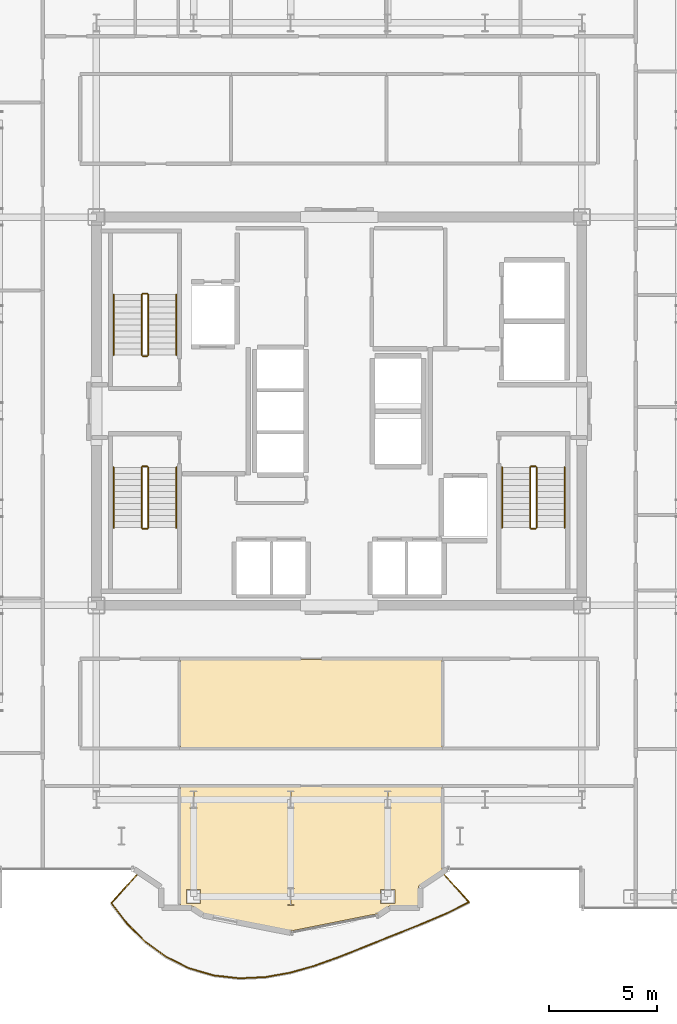
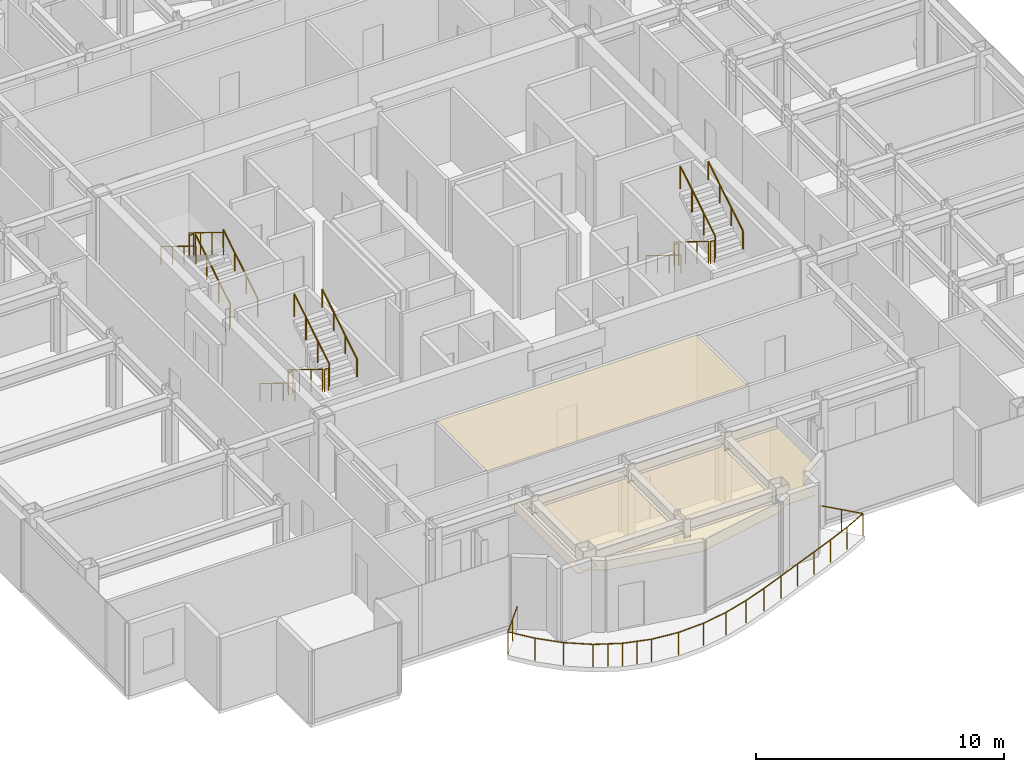
# One storey, part 21 of 22: 19 railings, 2 coverings.
"""IFC4 building model written with IfcOpenShell, lengths in metres."""

from ifc_helpers import new_model, si_unit, direction, frame, origin, origin_2d, place, context, subcontext, project, spatial, polyline, circle, outline, extrude, material, layer, layer_set, type_object, element, save


model = new_model("IFC4")

# Units and contexts
model_context = context("Model", 3, precision=1e-05, world=origin(), true_north=direction((0.0, 1.0)))
body_context = subcontext(model_context, "Body", "Model", "MODEL_VIEW")
ifc_project = project(units=[si_unit("LENGTHUNIT", "METRE"), si_unit("AREAUNIT", "SQUARE_METRE"), si_unit("VOLUMEUNIT", "CUBIC_METRE"), si_unit("PLANEANGLEUNIT", "RADIAN"), si_unit("MASSUNIT", "GRAM", prefix="KILO")], contexts=[model_context])

# Site, building, storey
site_placement = place(None, origin())
site = spatial("IfcSite", under=ifc_project, at=site_placement, CompositionType="ELEMENT")
building_placement = place(site_placement, origin())
building = spatial("IfcBuilding", under=site, at=building_placement, Name="Nefas-Gora Pilgrimage Tower", CompositionType="ELEMENT")
storey_placement = place(building_placement, frame((0.0, 0.0, 240.800048828125)))
storey = spatial("IfcBuildingStorey", under=building, at=storey_placement, Name="L60", CompositionType="ELEMENT", Elevation=240.800048828125)

# Coverings
ifc_material_1 = material(Name="Perforated gypsum acoustic ceiling")
ifc_layer = layer(ifc_material_1, 0.02490234375)
ifc_layer_set = layer_set([ifc_layer], Name="Perforated gypsum acoustic ceiling")
covering_type = type_object("IfcCoveringType", Name="COV-CEIL-ACOUST", PredefinedType="CEILING", material=ifc_layer_set)
covering_1_placement = place(storey_placement, frame((0.0, 0.0, 2.905029296875)))
element("IfcCovering", 1, at=covering_1_placement, inside=storey, type_object=covering_type, Name="L60 Acoustic Suspended Ceiling (Pilgrim Contemplative Lounge)", PredefinedType="CEILING", context=body_context, shape_type="SweptSolid", body=[
    extrude(outline(polyline([(3.68359375, -22.022705078125), (3.688232421875, -22.0166015625), (3.693359375, -22.0107421875), (3.69921875, -22.00537109375), (3.70556640625, -22.000732421875), (4.764892578125, -21.292724609375), (4.764892578125, -17.39990234375), (-7.364990234375, -17.39990234375), (-7.364990234375, -22.93994140625), (-6.82421875, -22.93994140625), (-6.81640625, -22.9404296875), (-6.80859375, -22.94140625), (-6.80078125, -22.943359375), (-6.79345703125, -22.946044921875), (-6.786376953125, -22.949462890625), (-6.77978515625, -22.95361328125), (-6.276123046875, -23.289794921875), (-2.25, -24.0908203125), (1.776123046875, -23.289794921875), (2.27978515625, -22.95361328125), (2.286376953125, -22.949462890625), (2.29345703125, -22.946044921875), (2.30078125, -22.943359375), (2.30859375, -22.94140625), (2.31640625, -22.9404296875), (2.32421875, -22.93994140625), (3.669921875, -22.93994140625), (3.669921875, -22.0673828125), (3.67041015625, -22.059326171875), (3.67138671875, -22.0517578125), (3.67333984375, -22.0439453125), (3.676025390625, -22.03662109375), (3.679443359375, -22.029541015625), (3.68359375, -22.022705078125)]), holes=[polyline([(2.576904296875, -22.173095703125), (2.576904296875, -22.826904296875), (1.923095703125, -22.826904296875), (1.923095703125, -22.173095703125), (2.576904296875, -22.173095703125)]), polyline([(2.403564453125, -17.591064453125), (2.403564453125, -17.635009765625), (2.262451171875, -17.635009765625), (2.262451171875, -18.364990234375), (2.403564453125, -18.364990234375), (2.403564453125, -18.408935546875), (2.096435546875, -18.408935546875), (2.096435546875, -18.364990234375), (2.237548828125, -18.364990234375), (2.237548828125, -17.635009765625), (2.096435546875, -17.635009765625), (2.096435546875, -17.591064453125), (2.403564453125, -17.591064453125)]), polyline([(-2.096435546875, -22.091064453125), (-2.096435546875, -22.135009765625), (-2.237548828125, -22.135009765625), (-2.237548828125, -22.864990234375), (-2.096435546875, -22.864990234375), (-2.096435546875, -22.908935546875), (-2.403564453125, -22.908935546875), (-2.403564453125, -22.864990234375), (-2.262451171875, -22.864990234375), (-2.262451171875, -22.135009765625), (-2.403564453125, -22.135009765625), (-2.403564453125, -22.091064453125), (-2.096435546875, -22.091064453125)]), polyline([(-2.096435546875, -17.591064453125), (-2.096435546875, -17.635009765625), (-2.237548828125, -17.635009765625), (-2.237548828125, -18.364990234375), (-2.096435546875, -18.364990234375), (-2.096435546875, -18.408935546875), (-2.403564453125, -18.408935546875), (-2.403564453125, -18.364990234375), (-2.262451171875, -18.364990234375), (-2.262451171875, -17.635009765625), (-2.403564453125, -17.635009765625), (-2.403564453125, -17.591064453125), (-2.096435546875, -17.591064453125)]), polyline([(-6.423095703125, -22.173095703125), (-6.423095703125, -22.826904296875), (-7.076904296875, -22.826904296875), (-7.076904296875, -22.173095703125), (-6.423095703125, -22.173095703125)]), polyline([(-6.596435546875, -17.591064453125), (-6.596435546875, -17.635009765625), (-6.737548828125, -17.635009765625), (-6.737548828125, -18.364990234375), (-6.596435546875, -18.364990234375), (-6.596435546875, -18.408935546875), (-6.903564453125, -18.408935546875), (-6.903564453125, -18.364990234375), (-6.762451171875, -18.364990234375), (-6.762451171875, -17.635009765625), (-6.903564453125, -17.635009765625), (-6.903564453125, -17.591064453125), (-6.596435546875, -17.591064453125)])]), origin(), (0.0, 0.0, 1.0), 0.02490234375),
])
covering_2_placement = place(storey_placement, frame((0.0, 0.0, 3.5048828125)))
element("IfcCovering", 2, at=covering_2_placement, inside=storey, type_object=covering_type, Name="L60 Acoustic Suspended Ceiling (Pilgrim Contemplative Lounge)", PredefinedType="CEILING", context=body_context, shape_type="SweptSolid", body=[
    extrude(outline(polyline([(4.764892578125, -11.5), (-7.364990234375, -11.5), (-7.364990234375, -15.60009765625), (4.764892578125, -15.60009765625), (4.764892578125, -11.5)])), origin(), (0.0, 0.0, 1.0), 0.025146484375),
])

# Railings
ifc_material_2 = material(Name="Laminated safety glass and stainless steel", Category="steel")
railing_type_1 = type_object("IfcRailingType", Name="RLG-BAL-1100", PredefinedType="BALUSTRADE", material=ifc_material_2)
railing_1_placement = place(storey_placement, frame((-9.302490234375, -21.402587890625, 0.0)))
element("IfcRailing", 3, at=railing_1_placement, inside=storey, type_object=railing_type_1, Name="L60 Wave Balcony Balustrade S2", PredefinedType="BALUSTRADE", context=body_context, shape_type="SweptSolid", body=[
    extrude(circle(Radius=0.02392578125, at=origin_2d()), frame((0.0, 0.0, 1.09619140625), z_axis=(-0.669129721026, -0.743145622634, 0.0), x_axis=(0.743145622634, -0.669129721026, 0.0)), (0.0, 0.0, 1.0), 1.880126953125),
    extrude(circle(Radius=0.02392578125, at=origin_2d()), frame((-1.258056640625, -1.397216796875, 1.09619140625), z_axis=(0.611200063939, -0.791476141044, 0.0), x_axis=(0.791476141044, 0.611200063939, 0.0)), (0.0, 0.0, 1.0), 1.179443359375),
    extrude(circle(Radius=0.02392578125, at=origin_2d()), frame((-0.537109375, -2.330810546875, 1.09619140625), z_axis=(0.707209030738, -0.707004516848, 0.0), x_axis=(0.707004516848, 0.707209030738, 0.0)), (0.0, 0.0, 1.0), 1.19384765625),
    extrude(circle(Radius=0.02392578125, at=origin_2d()), frame((0.30712890625, -3.1748046875, 1.09619140625), z_axis=(0.807148617314, -0.590348295135, 0.0), x_axis=(0.590348295135, 0.807148617314, 0.0)), (0.0, 0.0, 1.0), 1.19921875),
    extrude(circle(Radius=0.02392578125, at=origin_2d()), frame((1.275146484375, -3.8828125, 1.09619140625), z_axis=(0.896048232133, -0.443956716011, 0.0), x_axis=(0.443956716011, 0.896048232133, 0.0)), (0.0, 0.0, 1.0), 1.200439453125),
    extrude(circle(Radius=0.02392578125, at=origin_2d()), frame((2.350830078125, -4.415771484375, 1.09619140625), z_axis=(0.960465578019, -0.278398766951, 0.0), x_axis=(0.278398766951, 0.960465578019, 0.0)), (0.0, 0.0, 1.0), 1.200439453125),
    extrude(circle(Radius=0.02392578125, at=origin_2d()), frame((3.50390625, -4.75, 1.09619140625), z_axis=(0.994009663553, -0.109292217307, 0.0), x_axis=(0.109292217307, 0.994009663553, 0.0)), (0.0, 0.0, 1.0), 1.199462890625),
    extrude(circle(Radius=0.02392578125, at=origin_2d()), frame((4.6962890625, -4.881103515625, 1.09619140625), z_axis=(0.998903921138, 0.046807652535, 0.0), x_axis=(-0.046807652535, 0.998903921138, 0.0)), (0.0, 0.0, 1.0), 1.1943359375),
    extrude(circle(Radius=0.02392578125, at=origin_2d()), frame((5.889404296875, -4.8251953125, 1.09619140625), z_axis=(0.984273970402, 0.176648665973, 0.0), x_axis=(-0.176648665973, 0.984273970402, 0.0)), (0.0, 0.0, 1.0), 1.181640625),
    extrude(circle(Radius=0.02392578125, at=origin_2d()), frame((7.052490234375, -4.616455078125, 1.09619140625), z_axis=(0.961722400744, 0.274025589875, 0.0), x_axis=(-0.274025589875, 0.961722400744, 0.0)), (0.0, 0.0, 1.0), 1.1591796875),
    extrude(circle(Radius=0.02392578125, at=origin_2d()), frame((8.167236328125, -4.298828125, 1.09619140625), z_axis=(0.941629347278, 0.336651410726, 0.0), x_axis=(-0.336651410726, 0.941629347278, 0.0)), (0.0, 0.0, 1.0), 1.129150390625),
    extrude(circle(Radius=0.02392578125, at=origin_2d()), frame((9.23046875, -3.918701171875, 1.09619140625), z_axis=(0.929909498538, 0.367788423592, 0.0), x_axis=(-0.367788423592, 0.929909498538, 0.0)), (0.0, 0.0, 1.0), 1.099365234375),
    extrude(circle(Radius=0.02392578125, at=origin_2d()), frame((10.252685546875, -3.514404296875, 1.09619140625), z_axis=(0.927160236692, 0.374665044403, 0.0), x_axis=(-0.374665044403, 0.927160236692, 0.0)), (0.0, 0.0, 1.0), 1.0791015625),
    extrude(circle(Radius=0.02392578125, at=origin_2d()), frame((11.253173828125, -3.110107421875, 1.09619140625), z_axis=(0.928883068163, 0.370373116844, 0.0), x_axis=(-0.370373116844, 0.928883068163, 0.0)), (0.0, 0.0, 1.0), 1.07568359375),
    extrude(circle(Radius=0.02392578125, at=origin_2d()), frame((12.25244140625, -2.711669921875, 1.09619140625), z_axis=(0.928183190328, 0.372123588601, 0.0), x_axis=(-0.372123588601, 0.928183190328, 0.0)), (0.0, 0.0, 1.0), 1.091064453125),
    extrude(circle(Radius=0.02392578125, at=origin_2d()), frame((13.26513671875, -2.3056640625, 1.09619140625), z_axis=(0.919111174096, 0.393998286356, 0.0), x_axis=(-0.393998286356, 0.919111174096, 0.0)), (0.0, 0.0, 1.0), 1.119140625),
    extrude(circle(Radius=0.02392578125, at=origin_2d()), frame((14.293701171875, -1.86474609375, 1.09619140625), z_axis=(0.895992473093, 0.444069238026, 0.0), x_axis=(-0.444069238026, 0.895992473093, 0.0)), (0.0, 0.0, 1.0), 1.150146484375),
    extrude(circle(Radius=0.02392578125, at=origin_2d()), frame((15.32421875, -1.35400390625, 1.09619140625), z_axis=(-0.669157184217, 0.743120893806, 0.0), x_axis=(-0.743120893806, -0.669157184217, 0.0)), (0.0, 0.0, 1.0), 1.822021484375),
    extrude(circle(Radius=0.02099609375, at=origin_2d()), origin(), (0.0, 0.0, 1.0), 1.072021484375),
    extrude(circle(Radius=0.02099609375, at=origin_2d()), frame((-0.62890625, -0.69873046875, 0.0)), (0.0, 0.0, 1.0), 1.072021484375),
    extrude(circle(Radius=0.02099609375, at=origin_2d()), frame((-1.258056640625, -1.397216796875, 0.0)), (0.0, 0.0, 1.0), 1.072021484375),
    extrude(circle(Radius=0.02099609375, at=origin_2d()), frame((-0.537109375, -2.330810546875, 0.0)), (0.0, 0.0, 1.0), 1.072021484375),
    extrude(circle(Radius=0.02099609375, at=origin_2d()), frame((0.30712890625, -3.1748046875, 0.0)), (0.0, 0.0, 1.0), 1.072021484375),
    extrude(circle(Radius=0.02099609375, at=origin_2d()), frame((1.275146484375, -3.8828125, 0.0)), (0.0, 0.0, 1.0), 1.072021484375),
    extrude(circle(Radius=0.02099609375, at=origin_2d()), frame((1.81298828125, -4.1494140625, 0.0)), (0.0, 0.0, 1.0), 1.072021484375),
    extrude(circle(Radius=0.02099609375, at=origin_2d()), frame((2.350830078125, -4.415771484375, 0.0)), (0.0, 0.0, 1.0), 1.072021484375),
    extrude(circle(Radius=0.02099609375, at=origin_2d()), frame((2.92724609375, -4.5830078125, 0.0)), (0.0, 0.0, 1.0), 1.072021484375),
    extrude(circle(Radius=0.02099609375, at=origin_2d()), frame((3.50390625, -4.75, 0.0)), (0.0, 0.0, 1.0), 1.072021484375),
    extrude(circle(Radius=0.02099609375, at=origin_2d()), frame((4.6962890625, -4.881103515625, 0.0)), (0.0, 0.0, 1.0), 1.072021484375),
    extrude(circle(Radius=0.02099609375, at=origin_2d()), frame((5.889404296875, -4.8251953125, 0.0)), (0.0, 0.0, 1.0), 1.072021484375),
    extrude(circle(Radius=0.02099609375, at=origin_2d()), frame((7.052490234375, -4.616455078125, 0.0)), (0.0, 0.0, 1.0), 1.072021484375),
    extrude(circle(Radius=0.02099609375, at=origin_2d()), frame((8.167236328125, -4.298828125, 0.0)), (0.0, 0.0, 1.0), 1.072021484375),
    extrude(circle(Radius=0.02099609375, at=origin_2d()), frame((9.23046875, -3.918701171875, 0.0)), (0.0, 0.0, 1.0), 1.072021484375),
    extrude(circle(Radius=0.02099609375, at=origin_2d()), frame((10.252685546875, -3.514404296875, 0.0)), (0.0, 0.0, 1.0), 1.072021484375),
    extrude(circle(Radius=0.02099609375, at=origin_2d()), frame((11.253173828125, -3.110107421875, 0.0)), (0.0, 0.0, 1.0), 1.072021484375),
    extrude(circle(Radius=0.02099609375, at=origin_2d()), frame((12.25244140625, -2.711669921875, 0.0)), (0.0, 0.0, 1.0), 1.072021484375),
    extrude(circle(Radius=0.02099609375, at=origin_2d()), frame((13.26513671875, -2.3056640625, 0.0)), (0.0, 0.0, 1.0), 1.072021484375),
    extrude(circle(Radius=0.02099609375, at=origin_2d()), frame((14.293701171875, -1.86474609375, 0.0)), (0.0, 0.0, 1.0), 1.072021484375),
    extrude(circle(Radius=0.02099609375, at=origin_2d()), frame((15.32421875, -1.35400390625, 0.0)), (0.0, 0.0, 1.0), 1.072021484375),
    extrude(circle(Radius=0.02099609375, at=origin_2d()), frame((14.714599609375, -0.677001953125, 0.0)), (0.0, 0.0, 1.0), 1.072021484375),
    extrude(circle(Radius=0.02099609375, at=origin_2d()), frame((14.10498046875, 0.0, 0.0)), (0.0, 0.0, 1.0), 1.072021484375),
])
ifc_material_3 = material(Name="Painted galvanised steel", Category="steel")
railing_type_2 = type_object("IfcRailingType", Name="RLG-STR-GUARD-1100", PredefinedType="GUARDRAIL", material=ifc_material_3)
railing_2_placement = place(storey_placement, frame((-8.85009765625, 2.60009765625, 0.172607421875)))
element("IfcRailing", 4, at=railing_2_placement, inside=storey, type_object=railing_type_2, Name="L60 ST-01 stair guard 1", PredefinedType="GUARDRAIL", context=body_context, shape_type="SweptSolid", body=[
    extrude(circle(Radius=0.02392578125, at=origin_2d()), frame((0.0, 0.0, 1.09619140625), z_axis=(0.0, 0.851069175582, 0.525053576669), x_axis=(-1.0, 0.0, 0.0)), (0.0, 0.0, 1.0), 3.289794921875),
    extrude(circle(Radius=0.02099609375, at=origin_2d()), origin(), (0.0, 0.0, 1.0), 1.072021484375),
    extrude(circle(Radius=0.02099609375, at=origin_2d()), frame((0.0, 0.933349609375, 0.57568359375)), (0.0, 0.0, 1.0), 1.072021484375),
    extrude(circle(Radius=0.02099609375, at=origin_2d()), frame((0.0, 1.866455078125, 1.151611328125)), (0.0, 0.0, 1.0), 1.072021484375),
    extrude(circle(Radius=0.02099609375, at=origin_2d()), frame((0.0, 2.7998046875, 1.727294921875)), (0.0, 0.0, 1.0), 1.072021484375),
])
railing_3_placement = place(storey_placement, frame((-8.89990234375, 5.449951171875, 1.89990234375)))
element("IfcRailing", 5, at=railing_3_placement, inside=storey, type_object=railing_type_2, Name="L60 ST-01 stair guard 2", PredefinedType="GUARDRAIL", context=body_context, shape_type="SweptSolid", body=[
    extrude(circle(Radius=0.02392578125, at=origin_2d()), frame((0.0, 0.0, 1.09619140625), z_axis=(-1.0, 0.0, 0.0), x_axis=(0.0, -1.0, 0.0)), (0.0, 0.0, 1.0), 0.2001953125),
    extrude(circle(Radius=0.02099609375, at=origin_2d()), origin(), (0.0, 0.0, 1.0), 1.072021484375),
    extrude(circle(Radius=0.02099609375, at=origin_2d()), frame((-0.2001953125, 0.0, 0.0)), (0.0, 0.0, 1.0), 1.072021484375),
])
railing_4_placement = place(storey_placement, frame((-9.14990234375, 5.39990234375, 2.07275390625)))
element("IfcRailing", 6, at=railing_4_placement, inside=storey, type_object=railing_type_2, Name="L60 ST-01 stair guard 3", PredefinedType="GUARDRAIL", context=body_context, shape_type="SweptSolid", body=[
    extrude(circle(Radius=0.02392578125, at=origin_2d()), frame((0.0, 0.0, 1.09619140625), z_axis=(0.0, -0.851069175582, 0.525053576669), x_axis=(1.0, 0.0, 0.0)), (0.0, 0.0, 1.0), 3.289794921875),
    extrude(circle(Radius=0.02099609375, at=origin_2d()), origin(), (0.0, 0.0, 1.0), 1.072021484375),
    extrude(circle(Radius=0.02099609375, at=origin_2d()), frame((0.0, -0.933349609375, 0.57568359375)), (0.0, 0.0, 1.0), 1.072021484375),
    extrude(circle(Radius=0.02099609375, at=origin_2d()), frame((0.0, -1.866455078125, 1.151611328125)), (0.0, 0.0, 1.0), 1.072021484375),
    extrude(circle(Radius=0.02099609375, at=origin_2d()), frame((0.0, -2.7998046875, 1.727294921875)), (0.0, 0.0, 1.0), 1.072021484375),
])
railing_5_placement = place(storey_placement, frame((-8.89990234375, 2.550048828125, 0.0)))
element("IfcRailing", 7, at=railing_5_placement, inside=storey, type_object=railing_type_2, Name="L60 ST-01 stair guard 4", PredefinedType="GUARDRAIL", context=body_context, shape_type="SweptSolid", body=[
    extrude(circle(Radius=0.02392578125, at=origin_2d()), frame((0.0, 0.0, 1.09619140625), z_axis=(-1.0, 0.0, 0.0), x_axis=(0.0, -1.0, 0.0)), (0.0, 0.0, 1.0), 0.2001953125),
    extrude(circle(Radius=0.02099609375, at=origin_2d()), origin(), (0.0, 0.0, 1.0), 1.072021484375),
    extrude(circle(Radius=0.02099609375, at=origin_2d()), frame((-0.2001953125, 0.0, 0.0)), (0.0, 0.0, 1.0), 1.072021484375),
])
railing_6_placement = place(storey_placement, frame((8.85009765625, -2.60009765625, 0.172607421875)))
element("IfcRailing", 8, at=railing_6_placement, inside=storey, type_object=railing_type_2, Name="L60 ST-02 stair guard 1", PredefinedType="GUARDRAIL", context=body_context, shape_type="SweptSolid", body=[
    extrude(circle(Radius=0.02392578125, at=origin_2d()), frame((0.0, 0.0, 1.09619140625), z_axis=(0.0, -0.851069175582, 0.525053576669), x_axis=(1.0, 0.0, 0.0)), (0.0, 0.0, 1.0), 3.289794921875),
    extrude(circle(Radius=0.02099609375, at=origin_2d()), origin(), (0.0, 0.0, 1.0), 1.072021484375),
    extrude(circle(Radius=0.02099609375, at=origin_2d()), frame((0.0, -0.933349609375, 0.57568359375)), (0.0, 0.0, 1.0), 1.072021484375),
    extrude(circle(Radius=0.02099609375, at=origin_2d()), frame((0.0, -1.866455078125, 1.151611328125)), (0.0, 0.0, 1.0), 1.072021484375),
    extrude(circle(Radius=0.02099609375, at=origin_2d()), frame((0.0, -2.7998046875, 1.727294921875)), (0.0, 0.0, 1.0), 1.072021484375),
])
railing_7_placement = place(storey_placement, frame((8.89990234375, -5.449951171875, 1.89990234375)))
element("IfcRailing", 9, at=railing_7_placement, inside=storey, type_object=railing_type_2, Name="L60 ST-02 stair guard 2", PredefinedType="GUARDRAIL", context=body_context, shape_type="SweptSolid", body=[
    extrude(circle(Radius=0.02392578125, at=origin_2d()), frame((0.0, 0.0, 1.09619140625), z_axis=(1.0, 0.0, 0.0), x_axis=(0.0, 1.0, 0.0)), (0.0, 0.0, 1.0), 0.2001953125),
    extrude(circle(Radius=0.02099609375, at=origin_2d()), origin(), (0.0, 0.0, 1.0), 1.072021484375),
    extrude(circle(Radius=0.02099609375, at=origin_2d()), frame((0.2001953125, 0.0, 0.0)), (0.0, 0.0, 1.0), 1.072021484375),
])
railing_8_placement = place(storey_placement, frame((9.14990234375, -5.39990234375, 2.07275390625)))
element("IfcRailing", 10, at=railing_8_placement, inside=storey, type_object=railing_type_2, Name="L60 ST-02 stair guard 3", PredefinedType="GUARDRAIL", context=body_context, shape_type="SweptSolid", body=[
    extrude(circle(Radius=0.02392578125, at=origin_2d()), frame((0.0, 0.0, 1.09619140625), z_axis=(0.0, 0.851069175582, 0.525053576669), x_axis=(-1.0, 0.0, 0.0)), (0.0, 0.0, 1.0), 3.289794921875),
    extrude(circle(Radius=0.02099609375, at=origin_2d()), origin(), (0.0, 0.0, 1.0), 1.072021484375),
    extrude(circle(Radius=0.02099609375, at=origin_2d()), frame((0.0, 0.933349609375, 0.57568359375)), (0.0, 0.0, 1.0), 1.072021484375),
    extrude(circle(Radius=0.02099609375, at=origin_2d()), frame((0.0, 1.866455078125, 1.151611328125)), (0.0, 0.0, 1.0), 1.072021484375),
    extrude(circle(Radius=0.02099609375, at=origin_2d()), frame((0.0, 2.7998046875, 1.727294921875)), (0.0, 0.0, 1.0), 1.072021484375),
])
railing_9_placement = place(storey_placement, frame((8.89990234375, -2.550048828125, 0.0)))
element("IfcRailing", 11, at=railing_9_placement, inside=storey, type_object=railing_type_2, Name="L60 ST-02 stair guard 4", PredefinedType="GUARDRAIL", context=body_context, shape_type="SweptSolid", body=[
    extrude(circle(Radius=0.02392578125, at=origin_2d()), frame((0.0, 0.0, 1.09619140625), z_axis=(1.0, 0.0, 0.0), x_axis=(0.0, 1.0, 0.0)), (0.0, 0.0, 1.0), 0.2001953125),
    extrude(circle(Radius=0.02099609375, at=origin_2d()), origin(), (0.0, 0.0, 1.0), 1.072021484375),
    extrude(circle(Radius=0.02099609375, at=origin_2d()), frame((0.2001953125, 0.0, 0.0)), (0.0, 0.0, 1.0), 1.072021484375),
])
railing_10_placement = place(storey_placement, frame((-9.14990234375, -2.60009765625, 0.172607421875)))
element("IfcRailing", 12, at=railing_10_placement, inside=storey, type_object=railing_type_2, Name="L60 ST-03 stair guard 1", PredefinedType="GUARDRAIL", context=body_context, shape_type="SweptSolid", body=[
    extrude(circle(Radius=0.02392578125, at=origin_2d()), frame((0.0, 0.0, 1.09619140625), z_axis=(0.0, -0.851069175582, 0.525053576669), x_axis=(1.0, 0.0, 0.0)), (0.0, 0.0, 1.0), 3.289794921875),
    extrude(circle(Radius=0.02099609375, at=origin_2d()), origin(), (0.0, 0.0, 1.0), 1.072021484375),
    extrude(circle(Radius=0.02099609375, at=origin_2d()), frame((0.0, -0.933349609375, 0.57568359375)), (0.0, 0.0, 1.0), 1.072021484375),
    extrude(circle(Radius=0.02099609375, at=origin_2d()), frame((0.0, -1.866455078125, 1.151611328125)), (0.0, 0.0, 1.0), 1.072021484375),
    extrude(circle(Radius=0.02099609375, at=origin_2d()), frame((0.0, -2.7998046875, 1.727294921875)), (0.0, 0.0, 1.0), 1.072021484375),
])
railing_11_placement = place(storey_placement, frame((-9.10009765625, -5.449951171875, 1.89990234375)))
element("IfcRailing", 13, at=railing_11_placement, inside=storey, type_object=railing_type_2, Name="L60 ST-03 stair guard 2", PredefinedType="GUARDRAIL", context=body_context, shape_type="SweptSolid", body=[
    extrude(circle(Radius=0.02392578125, at=origin_2d()), frame((0.0, 0.0, 1.09619140625), z_axis=(1.0, 0.0, 0.0), x_axis=(0.0, 1.0, 0.0)), (0.0, 0.0, 1.0), 0.2001953125),
    extrude(circle(Radius=0.02099609375, at=origin_2d()), origin(), (0.0, 0.0, 1.0), 1.072021484375),
    extrude(circle(Radius=0.02099609375, at=origin_2d()), frame((0.2001953125, 0.0, 0.0)), (0.0, 0.0, 1.0), 1.072021484375),
])
railing_12_placement = place(storey_placement, frame((-8.85009765625, -5.39990234375, 2.07275390625)))
element("IfcRailing", 14, at=railing_12_placement, inside=storey, type_object=railing_type_2, Name="L60 ST-03 stair guard 3", PredefinedType="GUARDRAIL", context=body_context, shape_type="SweptSolid", body=[
    extrude(circle(Radius=0.02392578125, at=origin_2d()), frame((0.0, 0.0, 1.09619140625), z_axis=(0.0, 0.851069175582, 0.525053576669), x_axis=(-1.0, 0.0, 0.0)), (0.0, 0.0, 1.0), 3.289794921875),
    extrude(circle(Radius=0.02099609375, at=origin_2d()), origin(), (0.0, 0.0, 1.0), 1.072021484375),
    extrude(circle(Radius=0.02099609375, at=origin_2d()), frame((0.0, 0.933349609375, 0.57568359375)), (0.0, 0.0, 1.0), 1.072021484375),
    extrude(circle(Radius=0.02099609375, at=origin_2d()), frame((0.0, 1.866455078125, 1.151611328125)), (0.0, 0.0, 1.0), 1.072021484375),
    extrude(circle(Radius=0.02099609375, at=origin_2d()), frame((0.0, 2.7998046875, 1.727294921875)), (0.0, 0.0, 1.0), 1.072021484375),
])
railing_13_placement = place(storey_placement, frame((-9.10009765625, -2.550048828125, 0.0)))
element("IfcRailing", 15, at=railing_13_placement, inside=storey, type_object=railing_type_2, Name="L60 ST-03 stair guard 4", PredefinedType="GUARDRAIL", context=body_context, shape_type="SweptSolid", body=[
    extrude(circle(Radius=0.02392578125, at=origin_2d()), frame((0.0, 0.0, 1.09619140625), z_axis=(1.0, 0.0, 0.0), x_axis=(0.0, 1.0, 0.0)), (0.0, 0.0, 1.0), 0.2001953125),
    extrude(circle(Radius=0.02099609375, at=origin_2d()), origin(), (0.0, 0.0, 1.0), 1.072021484375),
    extrude(circle(Radius=0.02099609375, at=origin_2d()), frame((0.2001953125, 0.0, 0.0)), (0.0, 0.0, 1.0), 1.072021484375),
])
ifc_material_4 = material(Name="Brushed stainless steel", Category="steel")
railing_type_3 = type_object("IfcRailingType", Name="RLG-STR-HAND-900", PredefinedType="HANDRAIL", material=ifc_material_4)
railing_14_placement = place(storey_placement, frame((-7.550048828125, 2.60009765625, 0.172607421875)))
element("IfcRailing", 16, at=railing_14_placement, inside=storey, type_object=railing_type_3, Name="L60 ST-01 stair handrail 1", PredefinedType="HANDRAIL", context=body_context, shape_type="SweptSolid", body=[
    extrude(circle(Radius=0.02392578125, at=origin_2d()), frame((0.0, 0.0, 0.8759765625), z_axis=(0.0, 0.851069175582, 0.525053576669), x_axis=(-1.0, 0.0, 0.0)), (0.0, 0.0, 1.0), 3.289794921875),
    extrude(circle(Radius=0.02099609375, at=origin_2d()), origin(), (0.0, 0.0, 1.0), 0.851806640625),
    extrude(circle(Radius=0.02099609375, at=origin_2d()), frame((0.0, 0.933349609375, 0.57568359375)), (0.0, 0.0, 1.0), 0.851806640625),
    extrude(circle(Radius=0.02099609375, at=origin_2d()), frame((0.0, 1.866455078125, 1.151611328125)), (0.0, 0.0, 1.0), 0.851806640625),
    extrude(circle(Radius=0.02099609375, at=origin_2d()), frame((0.0, 2.7998046875, 1.727294921875)), (0.0, 0.0, 1.0), 0.851806640625),
])
for number, where, name in (
    (17, (-10.449951171875, 5.39990234375, 2.07275390625), "L60 ST-01 stair handrail 2"),
    (18, (7.550048828125, -2.60009765625, 0.172607421875), "L60 ST-02 stair handrail 1"),
):
    element("IfcRailing", number, at=place(storey_placement, frame(where)), inside=storey, type_object=railing_type_3, Name=name, PredefinedType="HANDRAIL", context=body_context, shape_type="SweptSolid", body=[
        extrude(circle(Radius=0.02392578125, at=origin_2d()), frame((0.0, 0.0, 0.8759765625), z_axis=(0.0, -0.851069175582, 0.525053576669), x_axis=(1.0, 0.0, 0.0)), (0.0, 0.0, 1.0), 3.289794921875),
        extrude(circle(Radius=0.02099609375, at=origin_2d()), origin(), (0.0, 0.0, 1.0), 0.851806640625),
        extrude(circle(Radius=0.02099609375, at=origin_2d()), frame((0.0, -0.933349609375, 0.57568359375)), (0.0, 0.0, 1.0), 0.851806640625),
        extrude(circle(Radius=0.02099609375, at=origin_2d()), frame((0.0, -1.866455078125, 1.151611328125)), (0.0, 0.0, 1.0), 0.851806640625),
        extrude(circle(Radius=0.02099609375, at=origin_2d()), frame((0.0, -2.7998046875, 1.727294921875)), (0.0, 0.0, 1.0), 0.851806640625),
    ])
railing_15_placement = place(storey_placement, frame((10.449951171875, -5.39990234375, 2.07275390625)))
element("IfcRailing", 19, at=railing_15_placement, inside=storey, type_object=railing_type_3, Name="L60 ST-02 stair handrail 2", PredefinedType="HANDRAIL", context=body_context, shape_type="SweptSolid", body=[
    extrude(circle(Radius=0.02392578125, at=origin_2d()), frame((0.0, 0.0, 0.8759765625), z_axis=(0.0, 0.851069175582, 0.525053576669), x_axis=(-1.0, 0.0, 0.0)), (0.0, 0.0, 1.0), 3.289794921875),
    extrude(circle(Radius=0.02099609375, at=origin_2d()), origin(), (0.0, 0.0, 1.0), 0.851806640625),
    extrude(circle(Radius=0.02099609375, at=origin_2d()), frame((0.0, 0.933349609375, 0.57568359375)), (0.0, 0.0, 1.0), 0.851806640625),
    extrude(circle(Radius=0.02099609375, at=origin_2d()), frame((0.0, 1.866455078125, 1.151611328125)), (0.0, 0.0, 1.0), 0.851806640625),
    extrude(circle(Radius=0.02099609375, at=origin_2d()), frame((0.0, 2.7998046875, 1.727294921875)), (0.0, 0.0, 1.0), 0.851806640625),
])
railing_16_placement = place(storey_placement, frame((-10.449951171875, -2.60009765625, 0.172607421875)))
element("IfcRailing", 20, at=railing_16_placement, inside=storey, type_object=railing_type_3, Name="L60 ST-03 stair handrail 1", PredefinedType="HANDRAIL", context=body_context, shape_type="SweptSolid", body=[
    extrude(circle(Radius=0.02392578125, at=origin_2d()), frame((0.0, 0.0, 0.8759765625), z_axis=(0.0, -0.851069175582, 0.525053576669), x_axis=(1.0, 0.0, 0.0)), (0.0, 0.0, 1.0), 3.289794921875),
    extrude(circle(Radius=0.02099609375, at=origin_2d()), origin(), (0.0, 0.0, 1.0), 0.851806640625),
    extrude(circle(Radius=0.02099609375, at=origin_2d()), frame((0.0, -0.933349609375, 0.57568359375)), (0.0, 0.0, 1.0), 0.851806640625),
    extrude(circle(Radius=0.02099609375, at=origin_2d()), frame((0.0, -1.866455078125, 1.151611328125)), (0.0, 0.0, 1.0), 0.851806640625),
    extrude(circle(Radius=0.02099609375, at=origin_2d()), frame((0.0, -2.7998046875, 1.727294921875)), (0.0, 0.0, 1.0), 0.851806640625),
])
railing_17_placement = place(storey_placement, frame((-7.550048828125, -5.39990234375, 2.07275390625)))
element("IfcRailing", 21, at=railing_17_placement, inside=storey, type_object=railing_type_3, Name="L60 ST-03 stair handrail 2", PredefinedType="HANDRAIL", context=body_context, shape_type="SweptSolid", body=[
    extrude(circle(Radius=0.02392578125, at=origin_2d()), frame((0.0, 0.0, 0.8759765625), z_axis=(0.0, 0.851069175582, 0.525053576669), x_axis=(-1.0, 0.0, 0.0)), (0.0, 0.0, 1.0), 3.289794921875),
    extrude(circle(Radius=0.02099609375, at=origin_2d()), origin(), (0.0, 0.0, 1.0), 0.851806640625),
    extrude(circle(Radius=0.02099609375, at=origin_2d()), frame((0.0, 0.933349609375, 0.57568359375)), (0.0, 0.0, 1.0), 0.851806640625),
    extrude(circle(Radius=0.02099609375, at=origin_2d()), frame((0.0, 1.866455078125, 1.151611328125)), (0.0, 0.0, 1.0), 0.851806640625),
    extrude(circle(Radius=0.02099609375, at=origin_2d()), frame((0.0, 2.7998046875, 1.727294921875)), (0.0, 0.0, 1.0), 0.851806640625),
])

save(model, "model.ifc")
